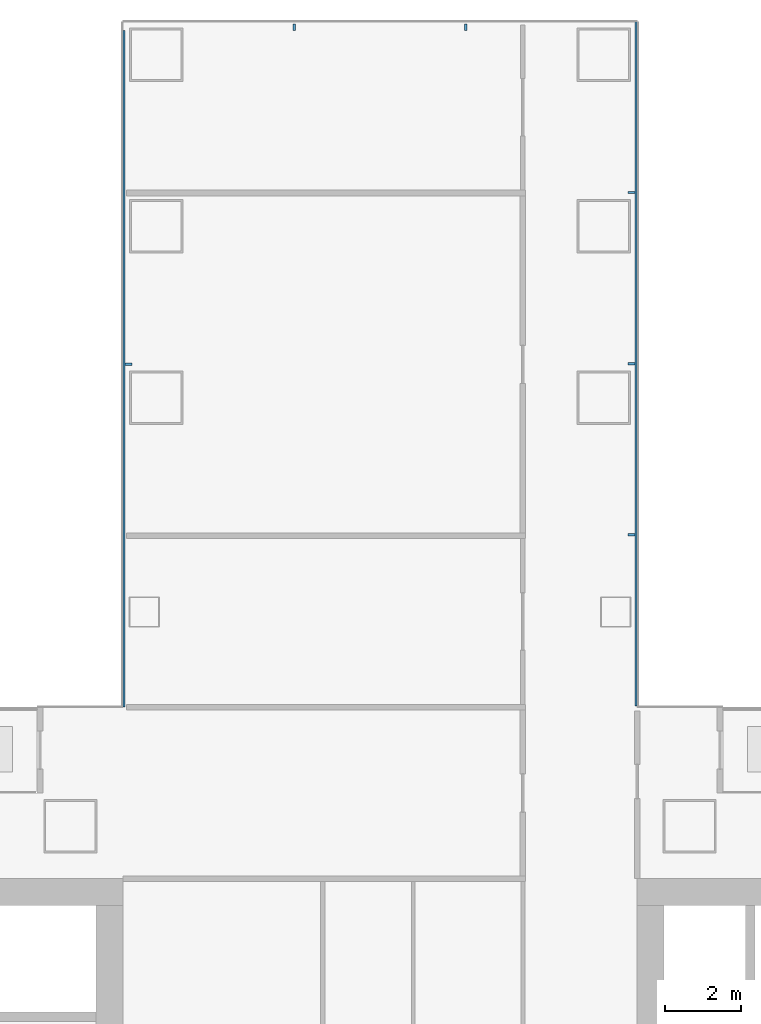
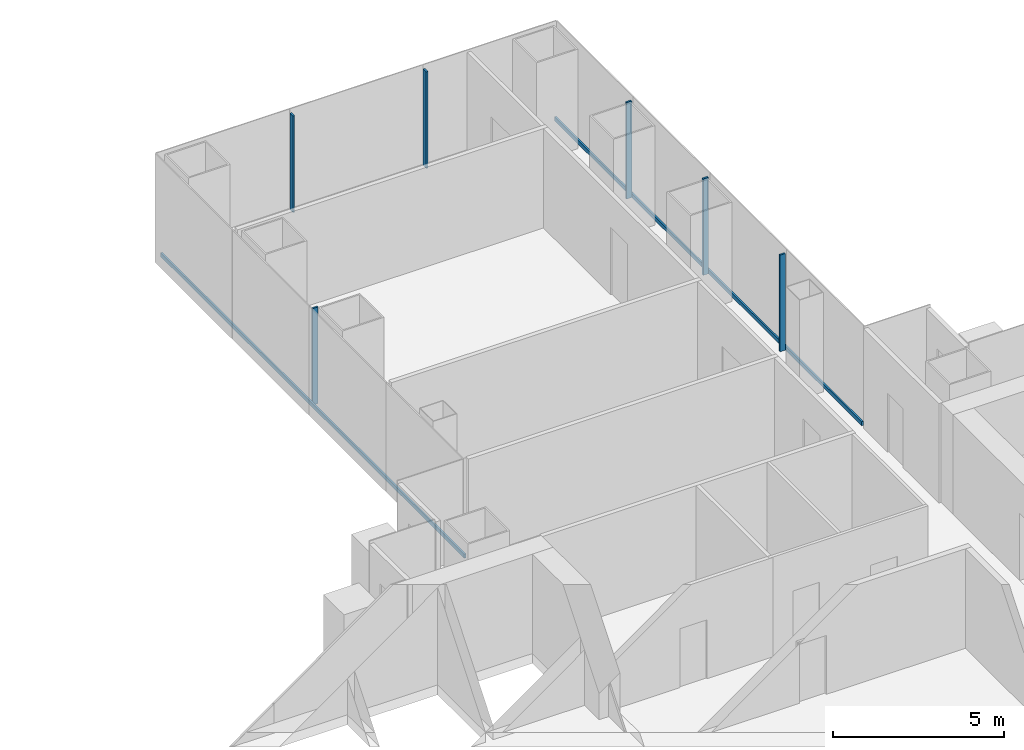
# One storey, part 9 of 21: 8 members, 3 elements without a shape of their own.
"""IFC4 building model written with IfcOpenShell, lengths in metres."""

from ifc_helpers import new_model, si_unit, direction, frame, origin, origin_2d, place, context, subcontext, project, spatial, rectangle, extrude, material, layer, layer_set, material_profile, profile_set, type_object, element, aggregate, save


model = new_model("IFC4")

# Units and contexts
model_context = context("Model", 3, precision=1e-05, world=origin(), true_north=direction((0.0, 1.0)))
body_context = subcontext(model_context, "Body", "Model", "MODEL_VIEW")
ifc_project = project(units=[si_unit("LENGTHUNIT", "METRE"), si_unit("AREAUNIT", "SQUARE_METRE"), si_unit("VOLUMEUNIT", "CUBIC_METRE"), si_unit("PLANEANGLEUNIT", "RADIAN"), si_unit("MASSUNIT", "GRAM", prefix="KILO")], contexts=[model_context])

# Site, building, storey
site_placement = place(None, origin())
site = spatial("IfcSite", under=ifc_project, at=site_placement, CompositionType="ELEMENT")
building_placement = place(site_placement, origin())
building = spatial("IfcBuilding", under=site, at=building_placement, Name="Shamsa Quay Exchange Towers", CompositionType="ELEMENT")
storey_placement = place(building_placement, frame((0.0, 0.0, 49.800048828125)))
storey = spatial("IfcBuildingStorey", under=building, at=storey_placement, Name="L10", CompositionType="ELEMENT", Elevation=49.800048828125)

# Curtain wall, members
ifc_material = material(Name="Aluminium EN AW-6063 T6, black anodised", Category="aluminium")
ifc_layer = layer(ifc_material, 0.280029296875)
ifc_layer_set = layer_set([ifc_layer], Name="CW-1 UNITISED VISION GLASS")
curtain_wall_type = type_object("IfcCurtainWallType", Name="CW-1 UNITISED VISION GLASS", PredefinedType="NOTDEFINED", material=ifc_layer_set)
curtain_wall_1_placement = place(storey_placement, origin())
curtain_wall_1 = element("IfcCurtainWall", 1, at=curtain_wall_1_placement, inside=storey, type_object=curtain_wall_type, Name="CW1 T2-FLK-U+S L10", PredefinedType="NOTDEFINED")
ifc_material_profile_1 = material_profile(ifc_material, rectangle(XDim=0.179931640625, YDim=0.06005859375, at=origin_2d()), Name="MU60x180")
ifc_profile_set_1 = profile_set([ifc_material_profile_1], Name="Aluminium EN AW-6063 T6, black anodised")
member_type_1 = type_object("IfcMemberType", Name="CW1 MULLION 60x180", PredefinedType="MULLION", material=ifc_profile_set_1)
member_1_placement = place(storey_placement, frame((40.35009765625, 15.778564453125, 0.0), z_axis=(0.0, 0.0, 1.0), x_axis=(-1.0, 0.0, 0.0)))
member_1 = element("IfcMember", 2, at=member_1_placement, type_object=member_type_1, Name="CW1 mullion", PredefinedType="MULLION", context=body_context, shape_type="SweptSolid", body=[
    extrude(rectangle(XDim=0.179931640625, YDim=0.06005859375, at=origin_2d()), origin(), (0.0, 0.0, 1.0), 3.449951171875),
])
member_2_placement = place(storey_placement, frame((40.35009765625, 20.26904296875, 0.0), z_axis=(0.0, 0.0, 1.0), x_axis=(-1.0, 0.0, 0.0)))
member_2 = element("IfcMember", 3, at=member_2_placement, type_object=member_type_1, Name="CW1 mullion", PredefinedType="MULLION", context=body_context, shape_type="SweptSolid", body=[
    extrude(rectangle(XDim=0.179931640625, YDim=0.06005859375, at=origin_2d()), origin(), (0.0, 0.0, 1.0), 3.449951171875),
])
member_3_placement = place(storey_placement, frame((40.35009765625, 24.759521484375, 0.0), z_axis=(0.0, 0.0, 1.0), x_axis=(-1.0, 0.0, 0.0)))
member_3 = element("IfcMember", 4, at=member_3_placement, type_object=member_type_1, Name="CW1 mullion", PredefinedType="MULLION", context=body_context, shape_type="SweptSolid", body=[
    extrude(rectangle(XDim=0.179931640625, YDim=0.06005859375, at=origin_2d()), origin(), (0.0, 0.0, 1.0), 3.449951171875),
])

curtain_wall_2_placement = place(storey_placement, origin())
curtain_wall_2 = element("IfcCurtainWall", 5, at=curtain_wall_2_placement, inside=storey, type_object=curtain_wall_type, Name="CW1 T2-END-U+ L10", PredefinedType="NOTDEFINED")
member_4_placement = place(storey_placement, frame((36.0, 29.10009765625, 0.0), z_axis=(0.0, 0.0, 1.0), x_axis=(0.0, -1.0, 0.0)))
member_4 = element("IfcMember", 6, at=member_4_placement, type_object=member_type_1, Name="CW1 mullion", PredefinedType="MULLION", context=body_context, shape_type="SweptSolid", body=[
    extrude(rectangle(XDim=0.179931640625, YDim=0.06005859375, at=origin_2d()), origin(), (0.0, 0.0, 1.0), 3.449951171875),
])
member_5_placement = place(storey_placement, frame((31.5, 29.10009765625, 0.0), z_axis=(0.0, 0.0, 1.0), x_axis=(0.0, -1.0, 0.0)))
member_5 = element("IfcMember", 7, at=member_5_placement, type_object=member_type_1, Name="CW1 mullion", PredefinedType="MULLION", context=body_context, shape_type="SweptSolid", body=[
    extrude(rectangle(XDim=0.179931640625, YDim=0.06005859375, at=origin_2d()), origin(), (0.0, 0.0, 1.0), 3.449951171875),
])
aggregate(curtain_wall_2, [member_4, member_5])

# Curtain wall, member
curtain_wall_3_placement = place(storey_placement, origin())
curtain_wall_3 = element("IfcCurtainWall", 8, at=curtain_wall_3_placement, inside=storey, type_object=curtain_wall_type, Name="CW1 T2-FLK-U+N L10", PredefinedType="NOTDEFINED")
member_6_placement = place(storey_placement, frame((27.14990234375, 20.25, 0.0)))
member_6 = element("IfcMember", 9, at=member_6_placement, type_object=member_type_1, Name="CW1 mullion", PredefinedType="MULLION", context=body_context, shape_type="SweptSolid", body=[
    extrude(rectangle(XDim=0.179931640625, YDim=0.06005859375, at=origin_2d()), origin(), (0.0, 0.0, 1.0), 3.449951171875),
])

# Member
ifc_material_profile_2 = material_profile(ifc_material, rectangle(XDim=0.06005859375, YDim=0.139892578125, at=origin_2d()), Name="TR140x60")
ifc_profile_set_2 = profile_set([ifc_material_profile_2], Name="Aluminium EN AW-6063 T6, black anodised")
member_type_2 = type_object("IfcMemberType", Name="CW1 TRANSOM 140x60", PredefinedType="USERDEFINED", material=ifc_profile_set_2)
member_7_placement = place(storey_placement, frame((40.469970703125, 11.2880859375, 0.070068359375), z_axis=(0.0, 1.0, 0.0), x_axis=(-1.0, 0.0, 0.0)))
member_7 = element("IfcMember", 10, at=member_7_placement, type_object=member_type_2, Name="CW1 transom", ObjectType="TRANSOM", PredefinedType="USERDEFINED", context=body_context, shape_type="SweptSolid", body=[
    extrude(rectangle(XDim=0.06005859375, YDim=0.139892578125, at=origin_2d()), origin(), (0.0, 0.0, 1.0), 17.9619140625),
])

aggregate(curtain_wall_1, [member_7, member_1, member_2, member_3])

member_8_placement = place(storey_placement, frame((27.030029296875, 29.008056640625, 0.070068359375), z_axis=(0.0, -1.0, 0.0), x_axis=(1.0, 0.0, 0.0)))
member_8 = element("IfcMember", 11, at=member_8_placement, type_object=member_type_2, Name="CW1 transom", ObjectType="TRANSOM", PredefinedType="USERDEFINED", context=body_context, shape_type="SweptSolid", body=[
    extrude(rectangle(XDim=0.06005859375, YDim=0.139892578125, at=origin_2d()), origin(), (0.0, 0.0, 1.0), 17.758056640625),
])

aggregate(curtain_wall_3, [member_8, member_6])

save(model, "model.ifc")
